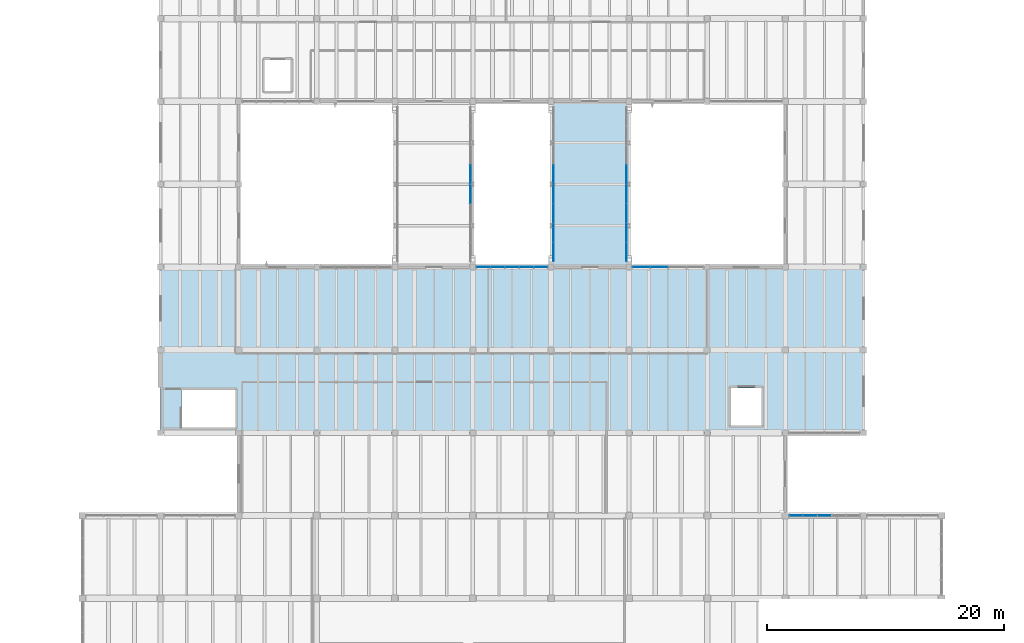
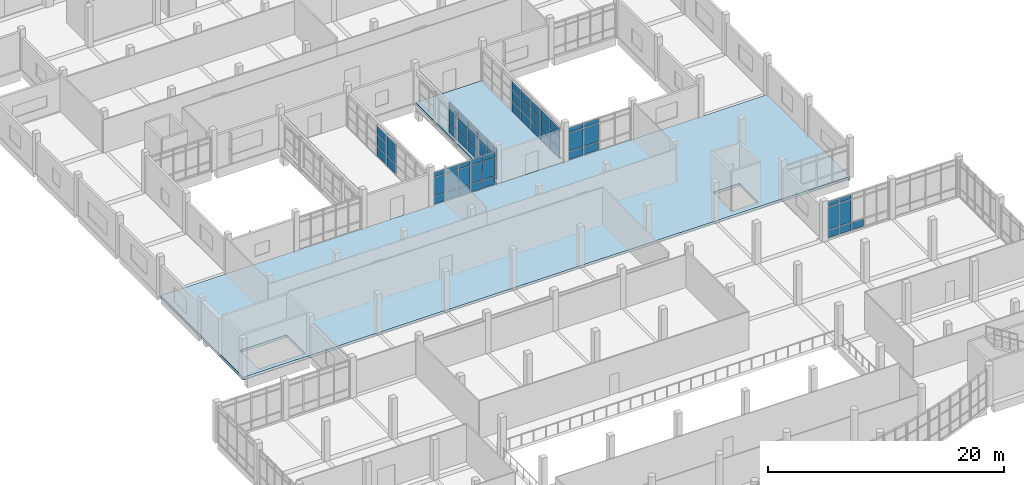
# One storey, part 40 of 65: 64 plates, 2 slabs, 6 elements without a shape of their own.
"""IFC4 building model written with IfcOpenShell, lengths in metres."""

from ifc_helpers import new_model, si_unit, direction, frame, origin, origin_2d, place, context, subcontext, project, spatial, polyline, rectangle, outline, extrude, material, layer, layer_set, type_object, element, aggregate, save


model = new_model("IFC4")

# Units and contexts
model_context = context("Model", 3, precision=1e-05, world=origin(), true_north=direction((0.0, 1.0)))
body_context = subcontext(model_context, "Body", "Model", "MODEL_VIEW")
ifc_project = project(units=[si_unit("LENGTHUNIT", "METRE"), si_unit("AREAUNIT", "SQUARE_METRE"), si_unit("VOLUMEUNIT", "CUBIC_METRE"), si_unit("PLANEANGLEUNIT", "RADIAN"), si_unit("MASSUNIT", "GRAM", prefix="KILO")], contexts=[model_context])

# Site, building, storey
site_placement = place(None, origin())
site = spatial("IfcSite", under=ifc_project, at=site_placement, CompositionType="ELEMENT")
building_placement = place(site_placement, origin())
building = spatial("IfcBuilding", under=site, at=building_placement, Name="Ciguamira Faculty of Natural Sciences", CompositionType="ELEMENT")
storey_placement = place(building_placement, frame((0.0, 0.0, 12.60009765625)))
storey = spatial("IfcBuildingStorey", under=building, at=storey_placement, Name="L03", CompositionType="ELEMENT", Elevation=12.60009765625)

# Curtain wall, plates
ifc_material_1 = material(Name="Anodized aluminium curtain wall", Category="aluminium")
curtain_wall_type_1 = type_object("IfcCurtainWallType", Name="CurtainWall_CW-03", PredefinedType="USERDEFINED", material=ifc_material_1)
curtain_wall_1_placement = place(storey_placement, origin())
curtain_wall_1 = element("IfcCurtainWall", 1, at=curtain_wall_1_placement, inside=storey, type_object=curtain_wall_type_1, Name="L03 unitised curtain wall 0087", ObjectType="UNITISED CURTAIN WALL", PredefinedType="USERDEFINED")
ifc_material_2 = material(Name="Low-E laminated solar glass", Category="glass")
ifc_layer_1 = layer(ifc_material_2, 0.028076171875, Name="Low-E laminated solar glass")
ifc_layer_set_1 = layer_set([ifc_layer_1], Name="Low-E laminated solar glass")
plate_type_1 = type_object("IfcPlateType", Name="CWPanel_CWP-01", PredefinedType="CURTAIN_PANEL", material=ifc_layer_set_1)
plate_1_placement = place(storey_placement, frame((111.0, 38.0, 0.080078125), z_axis=(0.0, 0.0, 1.0), x_axis=(1.0, 0.0, 0.0)))
plate_1 = element("IfcPlate", 2, at=plate_1_placement, type_object=plate_type_1, Name="CW-03 panel 1.1", PredefinedType="CURTAIN_PANEL", context=body_context, shape_type="SweptSolid", body=[
    extrude(rectangle(XDim=1.090087890625, YDim=0.028076171875, at=origin_2d()), origin(), (0.0, 0.0, 1.0), 0.780029296875),
])
plate_2_placement = place(storey_placement, frame((111.0, 38.0, 0.93994140625), z_axis=(0.0, 0.0, 1.0), x_axis=(1.0, 0.0, 0.0)))
plate_2 = element("IfcPlate", 3, at=plate_2_placement, type_object=plate_type_1, Name="CW-03 panel 1.2", PredefinedType="CURTAIN_PANEL", context=body_context, shape_type="SweptSolid", body=[
    extrude(rectangle(XDim=1.090087890625, YDim=0.028076171875, at=origin_2d()), origin(), (0.0, 0.0, 1.0), 2.320068359375),
])
plate_3_placement = place(storey_placement, frame((111.0, 38.0, 3.33984375), z_axis=(0.0, 0.0, 1.0), x_axis=(1.0, 0.0, 0.0)))
plate_3 = element("IfcPlate", 4, at=plate_3_placement, type_object=plate_type_1, Name="CW-03 panel 1.3", PredefinedType="CURTAIN_PANEL", context=body_context, shape_type="SweptSolid", body=[
    extrude(rectangle(XDim=1.090087890625, YDim=0.028076171875, at=origin_2d()), origin(), (0.0, 0.0, 1.0), 0.429931640625),
])
plate_4_placement = place(storey_placement, frame((112.18994140625, 38.0, 0.080078125), z_axis=(0.0, 0.0, 1.0), x_axis=(1.0, 0.0, 0.0)))
plate_4 = element("IfcPlate", 5, at=plate_4_placement, type_object=plate_type_1, Name="CW-03 panel 2.1", PredefinedType="CURTAIN_PANEL", context=body_context, shape_type="SweptSolid", body=[
    extrude(rectangle(XDim=1.1298828125, YDim=0.028076171875, at=origin_2d()), origin(), (0.0, 0.0, 1.0), 0.780029296875),
])
plate_5_placement = place(storey_placement, frame((112.18994140625, 38.0, 0.93994140625), z_axis=(0.0, 0.0, 1.0), x_axis=(1.0, 0.0, 0.0)))
plate_5 = element("IfcPlate", 6, at=plate_5_placement, type_object=plate_type_1, Name="CW-03 panel 2.2", PredefinedType="CURTAIN_PANEL", context=body_context, shape_type="SweptSolid", body=[
    extrude(rectangle(XDim=1.1298828125, YDim=0.028076171875, at=origin_2d()), origin(), (0.0, 0.0, 1.0), 2.320068359375),
])
plate_6_placement = place(storey_placement, frame((112.18994140625, 38.0, 3.33984375), z_axis=(0.0, 0.0, 1.0), x_axis=(1.0, 0.0, 0.0)))
plate_6 = element("IfcPlate", 7, at=plate_6_placement, type_object=plate_type_1, Name="CW-03 panel 2.3", PredefinedType="CURTAIN_PANEL", context=body_context, shape_type="SweptSolid", body=[
    extrude(rectangle(XDim=1.1298828125, YDim=0.028076171875, at=origin_2d()), origin(), (0.0, 0.0, 1.0), 0.429931640625),
])
plate_7_placement = place(storey_placement, frame((113.39990234375, 38.0, 0.080078125), z_axis=(0.0, 0.0, 1.0), x_axis=(1.0, 0.0, 0.0)))
plate_7 = element("IfcPlate", 8, at=plate_7_placement, type_object=plate_type_1, Name="CW-03 panel 3.1", PredefinedType="CURTAIN_PANEL", context=body_context, shape_type="SweptSolid", body=[
    extrude(rectangle(XDim=1.1298828125, YDim=0.028076171875, at=origin_2d()), origin(), (0.0, 0.0, 1.0), 0.780029296875),
])
aggregate(curtain_wall_1, [plate_1, plate_2, plate_3, plate_4, plate_5, plate_6, plate_7])

curtain_wall_type_2 = type_object("IfcCurtainWallType", Name="CurtainWall_CW-07", PredefinedType="USERDEFINED", material=ifc_material_1)
curtain_wall_2_placement = place(storey_placement, origin())
curtain_wall_2 = element("IfcCurtainWall", 9, at=curtain_wall_2_placement, inside=storey, type_object=curtain_wall_type_2, Name="L03 unitised curtain wall 0091", ObjectType="UNITISED CURTAIN WALL", PredefinedType="USERDEFINED")
plate_8_placement = place(storey_placement, frame((84.574951171875, 59.0, 0.059814453125), z_axis=(0.0, 0.0, 1.0), x_axis=(1.0, 0.0, 0.0)))
plate_8 = element("IfcPlate", 10, at=plate_8_placement, type_object=plate_type_1, Name="CW-07 panel 1.1", PredefinedType="CURTAIN_PANEL", context=body_context, shape_type="SweptSolid", body=[
    extrude(rectangle(XDim=1.1298828125, YDim=0.028076171875, at=origin_2d()), origin(), (0.0, 0.0, 1.0), 0.81005859375),
])
plate_9_placement = place(storey_placement, frame((84.574951171875, 59.0, 0.929931640625), z_axis=(0.0, 0.0, 1.0), x_axis=(1.0, 0.0, 0.0)))
plate_9 = element("IfcPlate", 11, at=plate_9_placement, type_object=plate_type_1, Name="CW-07 panel 1.2", PredefinedType="CURTAIN_PANEL", context=body_context, shape_type="SweptSolid", body=[
    extrude(rectangle(XDim=1.1298828125, YDim=0.028076171875, at=origin_2d()), origin(), (0.0, 0.0, 1.0), 1.89501953125),
])
plate_10_placement = place(storey_placement, frame((84.574951171875, 59.0, 2.885009765625), z_axis=(0.0, 0.0, 1.0), x_axis=(1.0, 0.0, 0.0)))
plate_10 = element("IfcPlate", 12, at=plate_10_placement, type_object=plate_type_1, Name="CW-07 panel 1.3", PredefinedType="CURTAIN_PANEL", context=body_context, shape_type="SweptSolid", body=[
    extrude(rectangle(XDim=1.1298828125, YDim=0.028076171875, at=origin_2d()), origin(), (0.0, 0.0, 1.0), 0.4599609375),
])
plate_11_placement = place(storey_placement, frame((85.780029296875, 59.0, 0.059814453125), z_axis=(0.0, 0.0, 1.0), x_axis=(1.0, 0.0, 0.0)))
plate_11 = element("IfcPlate", 13, at=plate_11_placement, type_object=plate_type_1, Name="CW-07 panel 2.1", PredefinedType="CURTAIN_PANEL", context=body_context, shape_type="SweptSolid", body=[
    extrude(rectangle(XDim=1.159912109375, YDim=0.028076171875, at=origin_2d()), origin(), (0.0, 0.0, 1.0), 0.81005859375),
])
plate_12_placement = place(storey_placement, frame((85.780029296875, 59.0, 0.929931640625), z_axis=(0.0, 0.0, 1.0), x_axis=(1.0, 0.0, 0.0)))
plate_12 = element("IfcPlate", 14, at=plate_12_placement, type_object=plate_type_1, Name="CW-07 panel 2.2", PredefinedType="CURTAIN_PANEL", context=body_context, shape_type="SweptSolid", body=[
    extrude(rectangle(XDim=1.159912109375, YDim=0.028076171875, at=origin_2d()), origin(), (0.0, 0.0, 1.0), 1.89501953125),
])
plate_13_placement = place(storey_placement, frame((85.780029296875, 59.0, 2.885009765625), z_axis=(0.0, 0.0, 1.0), x_axis=(1.0, 0.0, 0.0)))
plate_13 = element("IfcPlate", 15, at=plate_13_placement, type_object=plate_type_1, Name="CW-07 panel 2.3", PredefinedType="CURTAIN_PANEL", context=body_context, shape_type="SweptSolid", body=[
    extrude(rectangle(XDim=1.159912109375, YDim=0.028076171875, at=origin_2d()), origin(), (0.0, 0.0, 1.0), 0.4599609375),
])
plate_14_placement = place(storey_placement, frame((87.0, 59.0, 0.059814453125), z_axis=(0.0, 0.0, 1.0), x_axis=(1.0, 0.0, 0.0)))
plate_14 = element("IfcPlate", 16, at=plate_14_placement, type_object=plate_type_1, Name="CW-07 panel 3.1", PredefinedType="CURTAIN_PANEL", context=body_context, shape_type="SweptSolid", body=[
    extrude(rectangle(XDim=1.159912109375, YDim=0.028076171875, at=origin_2d()), origin(), (0.0, 0.0, 1.0), 0.81005859375),
])
plate_15_placement = place(storey_placement, frame((87.0, 59.0, 0.929931640625), z_axis=(0.0, 0.0, 1.0), x_axis=(1.0, 0.0, 0.0)))
plate_15 = element("IfcPlate", 17, at=plate_15_placement, type_object=plate_type_1, Name="CW-07 panel 3.2", PredefinedType="CURTAIN_PANEL", context=body_context, shape_type="SweptSolid", body=[
    extrude(rectangle(XDim=1.159912109375, YDim=0.028076171875, at=origin_2d()), origin(), (0.0, 0.0, 1.0), 1.89501953125),
])
plate_16_placement = place(storey_placement, frame((87.0, 59.0, 2.885009765625), z_axis=(0.0, 0.0, 1.0), x_axis=(1.0, 0.0, 0.0)))
plate_16 = element("IfcPlate", 18, at=plate_16_placement, type_object=plate_type_1, Name="CW-07 panel 3.3", PredefinedType="CURTAIN_PANEL", context=body_context, shape_type="SweptSolid", body=[
    extrude(rectangle(XDim=1.159912109375, YDim=0.028076171875, at=origin_2d()), origin(), (0.0, 0.0, 1.0), 0.4599609375),
])
plate_17_placement = place(storey_placement, frame((88.219970703125, 59.0, 0.059814453125), z_axis=(0.0, 0.0, 1.0), x_axis=(1.0, 0.0, 0.0)))
plate_17 = element("IfcPlate", 19, at=plate_17_placement, type_object=plate_type_1, Name="CW-07 panel 4.1", PredefinedType="CURTAIN_PANEL", context=body_context, shape_type="SweptSolid", body=[
    extrude(rectangle(XDim=1.159912109375, YDim=0.028076171875, at=origin_2d()), origin(), (0.0, 0.0, 1.0), 0.81005859375),
])
plate_18_placement = place(storey_placement, frame((88.219970703125, 59.0, 0.929931640625), z_axis=(0.0, 0.0, 1.0), x_axis=(1.0, 0.0, 0.0)))
plate_18 = element("IfcPlate", 20, at=plate_18_placement, type_object=plate_type_1, Name="CW-07 panel 4.2", PredefinedType="CURTAIN_PANEL", context=body_context, shape_type="SweptSolid", body=[
    extrude(rectangle(XDim=1.159912109375, YDim=0.028076171875, at=origin_2d()), origin(), (0.0, 0.0, 1.0), 1.89501953125),
])
plate_19_placement = place(storey_placement, frame((88.219970703125, 59.0, 2.885009765625), z_axis=(0.0, 0.0, 1.0), x_axis=(1.0, 0.0, 0.0)))
plate_19 = element("IfcPlate", 21, at=plate_19_placement, type_object=plate_type_1, Name="CW-07 panel 4.3", PredefinedType="CURTAIN_PANEL", context=body_context, shape_type="SweptSolid", body=[
    extrude(rectangle(XDim=1.159912109375, YDim=0.028076171875, at=origin_2d()), origin(), (0.0, 0.0, 1.0), 0.4599609375),
])
plate_20_placement = place(storey_placement, frame((89.425048828125, 59.0, 0.059814453125), z_axis=(0.0, 0.0, 1.0), x_axis=(1.0, 0.0, 0.0)))
plate_20 = element("IfcPlate", 22, at=plate_20_placement, type_object=plate_type_1, Name="CW-07 panel 5.1", PredefinedType="CURTAIN_PANEL", context=body_context, shape_type="SweptSolid", body=[
    extrude(rectangle(XDim=1.1298828125, YDim=0.028076171875, at=origin_2d()), origin(), (0.0, 0.0, 1.0), 0.81005859375),
])
plate_21_placement = place(storey_placement, frame((89.425048828125, 59.0, 0.929931640625), z_axis=(0.0, 0.0, 1.0), x_axis=(1.0, 0.0, 0.0)))
plate_21 = element("IfcPlate", 23, at=plate_21_placement, type_object=plate_type_1, Name="CW-07 panel 5.2", PredefinedType="CURTAIN_PANEL", context=body_context, shape_type="SweptSolid", body=[
    extrude(rectangle(XDim=1.1298828125, YDim=0.028076171875, at=origin_2d()), origin(), (0.0, 0.0, 1.0), 1.89501953125),
])
plate_22_placement = place(storey_placement, frame((89.425048828125, 59.0, 2.885009765625), z_axis=(0.0, 0.0, 1.0), x_axis=(1.0, 0.0, 0.0)))
plate_22 = element("IfcPlate", 24, at=plate_22_placement, type_object=plate_type_1, Name="CW-07 panel 5.3", PredefinedType="CURTAIN_PANEL", context=body_context, shape_type="SweptSolid", body=[
    extrude(rectangle(XDim=1.1298828125, YDim=0.028076171875, at=origin_2d()), origin(), (0.0, 0.0, 1.0), 0.4599609375),
])
aggregate(curtain_wall_2, [plate_8, plate_9, plate_10, plate_11, plate_12, plate_13, plate_14, plate_15, plate_16, plate_17, plate_18, plate_19, plate_20, plate_21, plate_22])

curtain_wall_type_3 = type_object("IfcCurtainWallType", Name="CurtainWall_CW-11", PredefinedType="USERDEFINED", material=ifc_material_1)
curtain_wall_3_placement = place(storey_placement, origin())
curtain_wall_3 = element("IfcCurtainWall", 25, at=curtain_wall_3_placement, inside=storey, type_object=curtain_wall_type_3, Name="Link bridge BR-3 glazed curtain wall E", ObjectType="UNITISED CURTAIN WALL", PredefinedType="USERDEFINED")
plate_23_placement = place(storey_placement, frame((83.47998046875, 65.18115234375, 0.06005859375), z_axis=(0.0, 0.0, 1.0), x_axis=(0.0, 1.0, 0.0)))
plate_23 = element("IfcPlate", 26, at=plate_23_placement, type_object=plate_type_1, Name="CW-11 panel 4.1", PredefinedType="CURTAIN_PANEL", context=body_context, shape_type="SweptSolid", body=[
    extrude(rectangle(XDim=1.577392578125, YDim=0.028076171875, at=origin_2d()), origin(), (0.0, 0.0, 1.0), 1.010009765625),
])
plate_24_placement = place(storey_placement, frame((83.47998046875, 65.18115234375, 1.1298828125), z_axis=(0.0, 0.0, 1.0), x_axis=(0.0, 1.0, 0.0)))
plate_24 = element("IfcPlate", 27, at=plate_24_placement, type_object=plate_type_1, Name="CW-11 panel 4.2", PredefinedType="CURTAIN_PANEL", context=body_context, shape_type="SweptSolid", body=[
    extrude(rectangle(XDim=1.577392578125, YDim=0.028076171875, at=origin_2d()), origin(), (0.0, 0.0, 1.0), 1.139892578125),
])
plate_25_placement = place(storey_placement, frame((83.47998046875, 65.18115234375, 2.330078125), z_axis=(0.0, 0.0, 1.0), x_axis=(0.0, 1.0, 0.0)))
plate_25 = element("IfcPlate", 28, at=plate_25_placement, type_object=plate_type_1, Name="CW-11 panel 4.3", PredefinedType="CURTAIN_PANEL", context=body_context, shape_type="SweptSolid", body=[
    extrude(rectangle(XDim=1.577392578125, YDim=0.028076171875, at=origin_2d()), origin(), (0.0, 0.0, 1.0), 0.860107421875),
])
plate_26_placement = place(storey_placement, frame((83.47998046875, 66.81884765625, 0.06005859375), z_axis=(0.0, 0.0, 1.0), x_axis=(0.0, 1.0, 0.0)))
plate_26 = element("IfcPlate", 29, at=plate_26_placement, type_object=plate_type_1, Name="CW-11 panel 5.1", PredefinedType="CURTAIN_PANEL", context=body_context, shape_type="SweptSolid", body=[
    extrude(rectangle(XDim=1.577392578125, YDim=0.028076171875, at=origin_2d()), origin(), (0.0, 0.0, 1.0), 1.010009765625),
])
plate_27_placement = place(storey_placement, frame((83.47998046875, 66.81884765625, 1.1298828125), z_axis=(0.0, 0.0, 1.0), x_axis=(0.0, 1.0, 0.0)))
plate_27 = element("IfcPlate", 30, at=plate_27_placement, type_object=plate_type_1, Name="CW-11 panel 5.2", PredefinedType="CURTAIN_PANEL", context=body_context, shape_type="SweptSolid", body=[
    extrude(rectangle(XDim=1.577392578125, YDim=0.028076171875, at=origin_2d()), origin(), (0.0, 0.0, 1.0), 1.139892578125),
])
plate_28_placement = place(storey_placement, frame((83.47998046875, 66.81884765625, 2.330078125), z_axis=(0.0, 0.0, 1.0), x_axis=(0.0, 1.0, 0.0)))
plate_28 = element("IfcPlate", 31, at=plate_28_placement, type_object=plate_type_1, Name="CW-11 panel 5.3", PredefinedType="CURTAIN_PANEL", context=body_context, shape_type="SweptSolid", body=[
    extrude(rectangle(XDim=1.577392578125, YDim=0.028076171875, at=origin_2d()), origin(), (0.0, 0.0, 1.0), 0.860107421875),
])
aggregate(curtain_wall_3, [plate_23, plate_24, plate_25, plate_26, plate_27, plate_28])

curtain_wall_type_4 = type_object("IfcCurtainWallType", Name="CurtainWall_CW-12", PredefinedType="USERDEFINED", material=ifc_material_1)
curtain_wall_4_placement = place(storey_placement, origin())
curtain_wall_4 = element("IfcCurtainWall", 32, at=curtain_wall_4_placement, inside=storey, type_object=curtain_wall_type_4, Name="Link bridge BR-4 glazed curtain wall W", ObjectType="UNITISED CURTAIN WALL", PredefinedType="USERDEFINED")
plate_29_placement = place(storey_placement, frame((90.52001953125, 60.28369140625, 0.06005859375), z_axis=(0.0, 0.0, 1.0), x_axis=(0.0, 1.0, 0.0)))
plate_29 = element("IfcPlate", 33, at=plate_29_placement, type_object=plate_type_1, Name="CW-12 panel 1.1", PredefinedType="CURTAIN_PANEL", context=body_context, shape_type="SweptSolid", body=[
    extrude(rectangle(XDim=1.547607421875, YDim=0.028076171875, at=origin_2d()), origin(), (0.0, 0.0, 1.0), 1.010009765625),
])
plate_30_placement = place(storey_placement, frame((90.52001953125, 60.28369140625, 1.1298828125), z_axis=(0.0, 0.0, 1.0), x_axis=(0.0, 1.0, 0.0)))
plate_30 = element("IfcPlate", 34, at=plate_30_placement, type_object=plate_type_1, Name="CW-12 panel 1.2", PredefinedType="CURTAIN_PANEL", context=body_context, shape_type="SweptSolid", body=[
    extrude(rectangle(XDim=1.547607421875, YDim=0.028076171875, at=origin_2d()), origin(), (0.0, 0.0, 1.0), 1.139892578125),
])
plate_31_placement = place(storey_placement, frame((90.52001953125, 60.28369140625, 2.330078125), z_axis=(0.0, 0.0, 1.0), x_axis=(0.0, 1.0, 0.0)))
plate_31 = element("IfcPlate", 35, at=plate_31_placement, type_object=plate_type_1, Name="CW-12 panel 1.3", PredefinedType="CURTAIN_PANEL", context=body_context, shape_type="SweptSolid", body=[
    extrude(rectangle(XDim=1.547607421875, YDim=0.028076171875, at=origin_2d()), origin(), (0.0, 0.0, 1.0), 0.860107421875),
])
plate_32_placement = place(storey_placement, frame((90.52001953125, 61.90625, 0.06005859375), z_axis=(0.0, 0.0, 1.0), x_axis=(0.0, 1.0, 0.0)))
plate_32 = element("IfcPlate", 36, at=plate_32_placement, type_object=plate_type_1, Name="CW-12 panel 2.1", PredefinedType="CURTAIN_PANEL", context=body_context, shape_type="SweptSolid", body=[
    extrude(rectangle(XDim=1.577392578125, YDim=0.028076171875, at=origin_2d()), origin(), (0.0, 0.0, 1.0), 1.010009765625),
])
plate_33_placement = place(storey_placement, frame((90.52001953125, 61.90625, 1.1298828125), z_axis=(0.0, 0.0, 1.0), x_axis=(0.0, 1.0, 0.0)))
plate_33 = element("IfcPlate", 37, at=plate_33_placement, type_object=plate_type_1, Name="CW-12 panel 2.2", PredefinedType="CURTAIN_PANEL", context=body_context, shape_type="SweptSolid", body=[
    extrude(rectangle(XDim=1.577392578125, YDim=0.028076171875, at=origin_2d()), origin(), (0.0, 0.0, 1.0), 1.139892578125),
])
plate_34_placement = place(storey_placement, frame((90.52001953125, 61.90625, 2.330078125), z_axis=(0.0, 0.0, 1.0), x_axis=(0.0, 1.0, 0.0)))
plate_34 = element("IfcPlate", 38, at=plate_34_placement, type_object=plate_type_1, Name="CW-12 panel 2.3", PredefinedType="CURTAIN_PANEL", context=body_context, shape_type="SweptSolid", body=[
    extrude(rectangle(XDim=1.577392578125, YDim=0.028076171875, at=origin_2d()), origin(), (0.0, 0.0, 1.0), 0.860107421875),
])
plate_35_placement = place(storey_placement, frame((90.52001953125, 63.543701171875, 0.06005859375), z_axis=(0.0, 0.0, 1.0), x_axis=(0.0, 1.0, 0.0)))
plate_35 = element("IfcPlate", 39, at=plate_35_placement, type_object=plate_type_1, Name="CW-12 panel 3.1", PredefinedType="CURTAIN_PANEL", context=body_context, shape_type="SweptSolid", body=[
    extrude(rectangle(XDim=1.577392578125, YDim=0.028076171875, at=origin_2d()), origin(), (0.0, 0.0, 1.0), 1.010009765625),
])
plate_36_placement = place(storey_placement, frame((90.52001953125, 63.543701171875, 1.1298828125), z_axis=(0.0, 0.0, 1.0), x_axis=(0.0, 1.0, 0.0)))
plate_36 = element("IfcPlate", 40, at=plate_36_placement, type_object=plate_type_1, Name="CW-12 panel 3.2", PredefinedType="CURTAIN_PANEL", context=body_context, shape_type="SweptSolid", body=[
    extrude(rectangle(XDim=1.577392578125, YDim=0.028076171875, at=origin_2d()), origin(), (0.0, 0.0, 1.0), 1.139892578125),
])
plate_37_placement = place(storey_placement, frame((90.52001953125, 63.543701171875, 2.330078125), z_axis=(0.0, 0.0, 1.0), x_axis=(0.0, 1.0, 0.0)))
plate_37 = element("IfcPlate", 41, at=plate_37_placement, type_object=plate_type_1, Name="CW-12 panel 3.3", PredefinedType="CURTAIN_PANEL", context=body_context, shape_type="SweptSolid", body=[
    extrude(rectangle(XDim=1.577392578125, YDim=0.028076171875, at=origin_2d()), origin(), (0.0, 0.0, 1.0), 0.860107421875),
])
plate_38_placement = place(storey_placement, frame((90.52001953125, 65.18115234375, 0.06005859375), z_axis=(0.0, 0.0, 1.0), x_axis=(0.0, 1.0, 0.0)))
plate_38 = element("IfcPlate", 42, at=plate_38_placement, type_object=plate_type_1, Name="CW-12 panel 4.1", PredefinedType="CURTAIN_PANEL", context=body_context, shape_type="SweptSolid", body=[
    extrude(rectangle(XDim=1.577392578125, YDim=0.028076171875, at=origin_2d()), origin(), (0.0, 0.0, 1.0), 1.010009765625),
])
plate_39_placement = place(storey_placement, frame((90.52001953125, 65.18115234375, 1.1298828125), z_axis=(0.0, 0.0, 1.0), x_axis=(0.0, 1.0, 0.0)))
plate_39 = element("IfcPlate", 43, at=plate_39_placement, type_object=plate_type_1, Name="CW-12 panel 4.2", PredefinedType="CURTAIN_PANEL", context=body_context, shape_type="SweptSolid", body=[
    extrude(rectangle(XDim=1.577392578125, YDim=0.028076171875, at=origin_2d()), origin(), (0.0, 0.0, 1.0), 1.139892578125),
])
plate_40_placement = place(storey_placement, frame((90.52001953125, 65.18115234375, 2.330078125), z_axis=(0.0, 0.0, 1.0), x_axis=(0.0, 1.0, 0.0)))
plate_40 = element("IfcPlate", 44, at=plate_40_placement, type_object=plate_type_1, Name="CW-12 panel 4.3", PredefinedType="CURTAIN_PANEL", context=body_context, shape_type="SweptSolid", body=[
    extrude(rectangle(XDim=1.577392578125, YDim=0.028076171875, at=origin_2d()), origin(), (0.0, 0.0, 1.0), 0.860107421875),
])
plate_41_placement = place(storey_placement, frame((90.52001953125, 66.81884765625, 0.06005859375), z_axis=(0.0, 0.0, 1.0), x_axis=(0.0, 1.0, 0.0)))
plate_41 = element("IfcPlate", 45, at=plate_41_placement, type_object=plate_type_1, Name="CW-12 panel 5.1", PredefinedType="CURTAIN_PANEL", context=body_context, shape_type="SweptSolid", body=[
    extrude(rectangle(XDim=1.577392578125, YDim=0.028076171875, at=origin_2d()), origin(), (0.0, 0.0, 1.0), 1.010009765625),
])
plate_42_placement = place(storey_placement, frame((90.52001953125, 66.81884765625, 1.1298828125), z_axis=(0.0, 0.0, 1.0), x_axis=(0.0, 1.0, 0.0)))
plate_42 = element("IfcPlate", 46, at=plate_42_placement, type_object=plate_type_1, Name="CW-12 panel 5.2", PredefinedType="CURTAIN_PANEL", context=body_context, shape_type="SweptSolid", body=[
    extrude(rectangle(XDim=1.577392578125, YDim=0.028076171875, at=origin_2d()), origin(), (0.0, 0.0, 1.0), 1.139892578125),
])
plate_43_placement = place(storey_placement, frame((90.52001953125, 66.81884765625, 2.330078125), z_axis=(0.0, 0.0, 1.0), x_axis=(0.0, 1.0, 0.0)))
plate_43 = element("IfcPlate", 47, at=plate_43_placement, type_object=plate_type_1, Name="CW-12 panel 5.3", PredefinedType="CURTAIN_PANEL", context=body_context, shape_type="SweptSolid", body=[
    extrude(rectangle(XDim=1.577392578125, YDim=0.028076171875, at=origin_2d()), origin(), (0.0, 0.0, 1.0), 0.860107421875),
])
aggregate(curtain_wall_4, [plate_29, plate_30, plate_31, plate_32, plate_33, plate_34, plate_35, plate_36, plate_37, plate_38, plate_39, plate_40, plate_41, plate_42, plate_43])

curtain_wall_type_5 = type_object("IfcCurtainWallType", Name="CurtainWall_CW-01", PredefinedType="USERDEFINED", material=ifc_material_1)
curtain_wall_5_placement = place(storey_placement, origin())
curtain_wall_5 = element("IfcCurtainWall", 48, at=curtain_wall_5_placement, inside=storey, type_object=curtain_wall_type_5, Name="Link bridge BR-4 glazed curtain wall E", ObjectType="UNITISED CURTAIN WALL", PredefinedType="USERDEFINED")
plate_44_placement = place(storey_placement, frame((96.679931640625, 60.28369140625, 0.06005859375), z_axis=(0.0, 0.0, 1.0), x_axis=(0.0, 1.0, 0.0)))
plate_44 = element("IfcPlate", 49, at=plate_44_placement, type_object=plate_type_1, Name="CW-01 panel 1.1", PredefinedType="CURTAIN_PANEL", context=body_context, shape_type="SweptSolid", body=[
    extrude(rectangle(XDim=1.547607421875, YDim=0.028076171875, at=origin_2d()), origin(), (0.0, 0.0, 1.0), 1.010009765625),
])
plate_45_placement = place(storey_placement, frame((96.679931640625, 60.28369140625, 1.1298828125), z_axis=(0.0, 0.0, 1.0), x_axis=(0.0, 1.0, 0.0)))
plate_45 = element("IfcPlate", 50, at=plate_45_placement, type_object=plate_type_1, Name="CW-01 panel 1.2", PredefinedType="CURTAIN_PANEL", context=body_context, shape_type="SweptSolid", body=[
    extrude(rectangle(XDim=1.547607421875, YDim=0.028076171875, at=origin_2d()), origin(), (0.0, 0.0, 1.0), 1.139892578125),
])
plate_46_placement = place(storey_placement, frame((96.679931640625, 60.28369140625, 2.330078125), z_axis=(0.0, 0.0, 1.0), x_axis=(0.0, 1.0, 0.0)))
plate_46 = element("IfcPlate", 51, at=plate_46_placement, type_object=plate_type_1, Name="CW-01 panel 1.3", PredefinedType="CURTAIN_PANEL", context=body_context, shape_type="SweptSolid", body=[
    extrude(rectangle(XDim=1.547607421875, YDim=0.028076171875, at=origin_2d()), origin(), (0.0, 0.0, 1.0), 0.860107421875),
])
plate_47_placement = place(storey_placement, frame((96.679931640625, 61.90625, 0.06005859375), z_axis=(0.0, 0.0, 1.0), x_axis=(0.0, 1.0, 0.0)))
plate_47 = element("IfcPlate", 52, at=plate_47_placement, type_object=plate_type_1, Name="CW-01 panel 2.1", PredefinedType="CURTAIN_PANEL", context=body_context, shape_type="SweptSolid", body=[
    extrude(rectangle(XDim=1.577392578125, YDim=0.028076171875, at=origin_2d()), origin(), (0.0, 0.0, 1.0), 1.010009765625),
])
plate_48_placement = place(storey_placement, frame((96.679931640625, 61.90625, 1.1298828125), z_axis=(0.0, 0.0, 1.0), x_axis=(0.0, 1.0, 0.0)))
plate_48 = element("IfcPlate", 53, at=plate_48_placement, type_object=plate_type_1, Name="CW-01 panel 2.2", PredefinedType="CURTAIN_PANEL", context=body_context, shape_type="SweptSolid", body=[
    extrude(rectangle(XDim=1.577392578125, YDim=0.028076171875, at=origin_2d()), origin(), (0.0, 0.0, 1.0), 1.139892578125),
])
plate_49_placement = place(storey_placement, frame((96.679931640625, 61.90625, 2.330078125), z_axis=(0.0, 0.0, 1.0), x_axis=(0.0, 1.0, 0.0)))
plate_49 = element("IfcPlate", 54, at=plate_49_placement, type_object=plate_type_1, Name="CW-01 panel 2.3", PredefinedType="CURTAIN_PANEL", context=body_context, shape_type="SweptSolid", body=[
    extrude(rectangle(XDim=1.577392578125, YDim=0.028076171875, at=origin_2d()), origin(), (0.0, 0.0, 1.0), 0.860107421875),
])
plate_50_placement = place(storey_placement, frame((96.679931640625, 63.543701171875, 0.06005859375), z_axis=(0.0, 0.0, 1.0), x_axis=(0.0, 1.0, 0.0)))
plate_50 = element("IfcPlate", 55, at=plate_50_placement, type_object=plate_type_1, Name="CW-01 panel 3.1", PredefinedType="CURTAIN_PANEL", context=body_context, shape_type="SweptSolid", body=[
    extrude(rectangle(XDim=1.577392578125, YDim=0.028076171875, at=origin_2d()), origin(), (0.0, 0.0, 1.0), 1.010009765625),
])
plate_51_placement = place(storey_placement, frame((96.679931640625, 63.543701171875, 1.1298828125), z_axis=(0.0, 0.0, 1.0), x_axis=(0.0, 1.0, 0.0)))
plate_51 = element("IfcPlate", 56, at=plate_51_placement, type_object=plate_type_1, Name="CW-01 panel 3.2", PredefinedType="CURTAIN_PANEL", context=body_context, shape_type="SweptSolid", body=[
    extrude(rectangle(XDim=1.577392578125, YDim=0.028076171875, at=origin_2d()), origin(), (0.0, 0.0, 1.0), 1.139892578125),
])
plate_52_placement = place(storey_placement, frame((96.679931640625, 63.543701171875, 2.330078125), z_axis=(0.0, 0.0, 1.0), x_axis=(0.0, 1.0, 0.0)))
plate_52 = element("IfcPlate", 57, at=plate_52_placement, type_object=plate_type_1, Name="CW-01 panel 3.3", PredefinedType="CURTAIN_PANEL", context=body_context, shape_type="SweptSolid", body=[
    extrude(rectangle(XDim=1.577392578125, YDim=0.028076171875, at=origin_2d()), origin(), (0.0, 0.0, 1.0), 0.860107421875),
])
plate_53_placement = place(storey_placement, frame((96.679931640625, 65.18115234375, 0.06005859375), z_axis=(0.0, 0.0, 1.0), x_axis=(0.0, 1.0, 0.0)))
plate_53 = element("IfcPlate", 58, at=plate_53_placement, type_object=plate_type_1, Name="CW-01 panel 4.1", PredefinedType="CURTAIN_PANEL", context=body_context, shape_type="SweptSolid", body=[
    extrude(rectangle(XDim=1.577392578125, YDim=0.028076171875, at=origin_2d()), origin(), (0.0, 0.0, 1.0), 1.010009765625),
])
plate_54_placement = place(storey_placement, frame((96.679931640625, 65.18115234375, 1.1298828125), z_axis=(0.0, 0.0, 1.0), x_axis=(0.0, 1.0, 0.0)))
plate_54 = element("IfcPlate", 59, at=plate_54_placement, type_object=plate_type_1, Name="CW-01 panel 4.2", PredefinedType="CURTAIN_PANEL", context=body_context, shape_type="SweptSolid", body=[
    extrude(rectangle(XDim=1.577392578125, YDim=0.028076171875, at=origin_2d()), origin(), (0.0, 0.0, 1.0), 1.139892578125),
])
plate_55_placement = place(storey_placement, frame((96.679931640625, 65.18115234375, 2.330078125), z_axis=(0.0, 0.0, 1.0), x_axis=(0.0, 1.0, 0.0)))
plate_55 = element("IfcPlate", 60, at=plate_55_placement, type_object=plate_type_1, Name="CW-01 panel 4.3", PredefinedType="CURTAIN_PANEL", context=body_context, shape_type="SweptSolid", body=[
    extrude(rectangle(XDim=1.577392578125, YDim=0.028076171875, at=origin_2d()), origin(), (0.0, 0.0, 1.0), 0.860107421875),
])
plate_56_placement = place(storey_placement, frame((96.679931640625, 66.81884765625, 0.06005859375), z_axis=(0.0, 0.0, 1.0), x_axis=(0.0, 1.0, 0.0)))
plate_56 = element("IfcPlate", 61, at=plate_56_placement, type_object=plate_type_1, Name="CW-01 panel 5.1", PredefinedType="CURTAIN_PANEL", context=body_context, shape_type="SweptSolid", body=[
    extrude(rectangle(XDim=1.577392578125, YDim=0.028076171875, at=origin_2d()), origin(), (0.0, 0.0, 1.0), 1.010009765625),
])
plate_57_placement = place(storey_placement, frame((96.679931640625, 66.81884765625, 1.1298828125), z_axis=(0.0, 0.0, 1.0), x_axis=(0.0, 1.0, 0.0)))
plate_57 = element("IfcPlate", 62, at=plate_57_placement, type_object=plate_type_1, Name="CW-01 panel 5.2", PredefinedType="CURTAIN_PANEL", context=body_context, shape_type="SweptSolid", body=[
    extrude(rectangle(XDim=1.577392578125, YDim=0.028076171875, at=origin_2d()), origin(), (0.0, 0.0, 1.0), 1.139892578125),
])
plate_58_placement = place(storey_placement, frame((96.679931640625, 66.81884765625, 2.330078125), z_axis=(0.0, 0.0, 1.0), x_axis=(0.0, 1.0, 0.0)))
plate_58 = element("IfcPlate", 63, at=plate_58_placement, type_object=plate_type_1, Name="CW-01 panel 5.3", PredefinedType="CURTAIN_PANEL", context=body_context, shape_type="SweptSolid", body=[
    extrude(rectangle(XDim=1.577392578125, YDim=0.028076171875, at=origin_2d()), origin(), (0.0, 0.0, 1.0), 0.860107421875),
])
aggregate(curtain_wall_5, [plate_44, plate_45, plate_46, plate_47, plate_48, plate_49, plate_50, plate_51, plate_52, plate_53, plate_54, plate_55, plate_56, plate_57, plate_58])

curtain_wall_type_6 = type_object("IfcCurtainWallType", Name="CurtainWall_CW-08", PredefinedType="USERDEFINED", material=ifc_material_1)
curtain_wall_6_placement = place(storey_placement, origin())
curtain_wall_6 = element("IfcCurtainWall", 64, at=curtain_wall_6_placement, inside=storey, type_object=curtain_wall_type_6, Name="L03 unitised curtain wall 0092", ObjectType="UNITISED CURTAIN WALL", PredefinedType="USERDEFINED")
ifc_layer_2 = layer(ifc_material_2, 0.035888671875, Name="Low-E laminated solar glass")
ifc_layer_set_2 = layer_set([ifc_layer_2], Name="Low-E laminated solar glass")
plate_type_2 = type_object("IfcPlateType", Name="CWPanel_CWP-02", PredefinedType="CURTAIN_PANEL", material=ifc_layer_set_2)
plate_59_placement = place(storey_placement, frame((97.929931640625, 59.0, 0.06982421875), z_axis=(0.0, 0.0, 1.0), x_axis=(1.0, 0.0, 0.0)))
plate_59 = element("IfcPlate", 65, at=plate_59_placement, type_object=plate_type_2, Name="CW-08 panel 1.1", PredefinedType="CURTAIN_PANEL", context=body_context, shape_type="SweptSolid", body=[
    extrude(rectangle(XDim=1.419921875, YDim=0.035888671875, at=origin_2d()), origin(), (0.0, 0.0, 1.0), 0.794921875),
])
plate_60_placement = place(storey_placement, frame((97.929931640625, 59.0, 0.93505859375), z_axis=(0.0, 0.0, 1.0), x_axis=(1.0, 0.0, 0.0)))
plate_60 = element("IfcPlate", 66, at=plate_60_placement, type_object=plate_type_2, Name="CW-08 panel 1.2", PredefinedType="CURTAIN_PANEL", context=body_context, shape_type="SweptSolid", body=[
    extrude(rectangle(XDim=1.419921875, YDim=0.035888671875, at=origin_2d()), origin(), (0.0, 0.0, 1.0), 1.885009765625),
])
plate_61_placement = place(storey_placement, frame((97.929931640625, 59.0, 2.8896484375), z_axis=(0.0, 0.0, 1.0), x_axis=(1.0, 0.0, 0.0)))
plate_61 = element("IfcPlate", 67, at=plate_61_placement, type_object=plate_type_2, Name="CW-08 panel 1.3", PredefinedType="CURTAIN_PANEL", context=body_context, shape_type="SweptSolid", body=[
    extrude(rectangle(XDim=1.419921875, YDim=0.035888671875, at=origin_2d()), origin(), (0.0, 0.0, 1.0), 0.445068359375),
])
plate_62_placement = place(storey_placement, frame((99.4375, 59.0, 0.06982421875), z_axis=(0.0, 0.0, 1.0), x_axis=(1.0, 0.0, 0.0)))
plate_62 = element("IfcPlate", 68, at=plate_62_placement, type_object=plate_type_2, Name="CW-08 panel 2.1", PredefinedType="CURTAIN_PANEL", context=body_context, shape_type="SweptSolid", body=[
    extrude(rectangle(XDim=1.455078125, YDim=0.035888671875, at=origin_2d()), origin(), (0.0, 0.0, 1.0), 0.794921875),
])
plate_63_placement = place(storey_placement, frame((99.4375, 59.0, 0.93505859375), z_axis=(0.0, 0.0, 1.0), x_axis=(1.0, 0.0, 0.0)))
plate_63 = element("IfcPlate", 69, at=plate_63_placement, type_object=plate_type_2, Name="CW-08 panel 2.2", PredefinedType="CURTAIN_PANEL", context=body_context, shape_type="SweptSolid", body=[
    extrude(rectangle(XDim=1.455078125, YDim=0.035888671875, at=origin_2d()), origin(), (0.0, 0.0, 1.0), 1.885009765625),
])
plate_64_placement = place(storey_placement, frame((99.4375, 59.0, 2.8896484375), z_axis=(0.0, 0.0, 1.0), x_axis=(1.0, 0.0, 0.0)))
plate_64 = element("IfcPlate", 70, at=plate_64_placement, type_object=plate_type_2, Name="CW-08 panel 2.3", PredefinedType="CURTAIN_PANEL", context=body_context, shape_type="SweptSolid", body=[
    extrude(rectangle(XDim=1.455078125, YDim=0.035888671875, at=origin_2d()), origin(), (0.0, 0.0, 1.0), 0.445068359375),
])
aggregate(curtain_wall_6, [plate_59, plate_60, plate_61, plate_62, plate_63, plate_64])

# Slabs
ifc_material_3 = material(Name="Concrete C40/50", Category="concrete")
ifc_layer_3 = layer(ifc_material_3, 0.280029296875, Name="Concrete C40/50")
ifc_layer_set_3 = layer_set([ifc_layer_3], Name="Concrete C40/50")
slab_type_1 = type_object("IfcSlabType", Name="Slab_SF-03_280", PredefinedType="FLOOR", material=ifc_layer_set_3)
slab_1_placement = place(storey_placement, frame((0.0, 0.0, -0.280029296875)))
element("IfcSlab", 71, at=slab_1_placement, inside=storey, type_object=slab_type_1, Name="L03 V4S structural slab", PredefinedType="FLOOR", context=body_context, shape_type="SweptSolid", body=[
    extrude(outline(polyline([(57.300048828125, 45.0), (116.699951171875, 45.0), (116.699951171875, 59.0), (57.300048828125, 59.0), (57.300048828125, 45.0)]), holes=[polyline([(59.06005859375, 45.449951171875), (63.64990234375, 45.449951171875), (63.64990234375, 48.610107421875), (59.06005859375, 48.610107421875), (59.06005859375, 45.449951171875)]), polyline([(105.5, 45.60009765625), (108.10009765625, 45.60009765625), (108.10009765625, 48.800048828125), (105.5, 48.800048828125), (105.5, 45.60009765625)])]), origin(), (0.0, 0.0, 1.0), 0.280029296875),
])
ifc_layer_4 = layer(ifc_material_3, 0.219970703125, Name="Concrete C40/50")
ifc_layer_set_4 = layer_set([ifc_layer_4], Name="Concrete C40/50")
slab_type_2 = type_object("IfcSlabType", Name="Slab_SF-06_220", PredefinedType="FLOOR", material=ifc_layer_set_4)
slab_2_placement = place(storey_placement, frame((0.0, 0.0, -0.22021484375)))
element("IfcSlab", 72, at=slab_2_placement, inside=storey, type_object=slab_type_2, Name="Link bridge BR-2 deck", PredefinedType="FLOOR", context=body_context, shape_type="SweptSolid", body=[
    extrude(outline(polyline([(90.300048828125, 59.0), (96.89990234375, 59.0), (96.89990234375, 72.89990234375), (90.300048828125, 72.89990234375), (90.300048828125, 59.0)])), origin(), (0.0, 0.0, 1.0), 0.22021484375),
])

save(model, "model.ifc")
